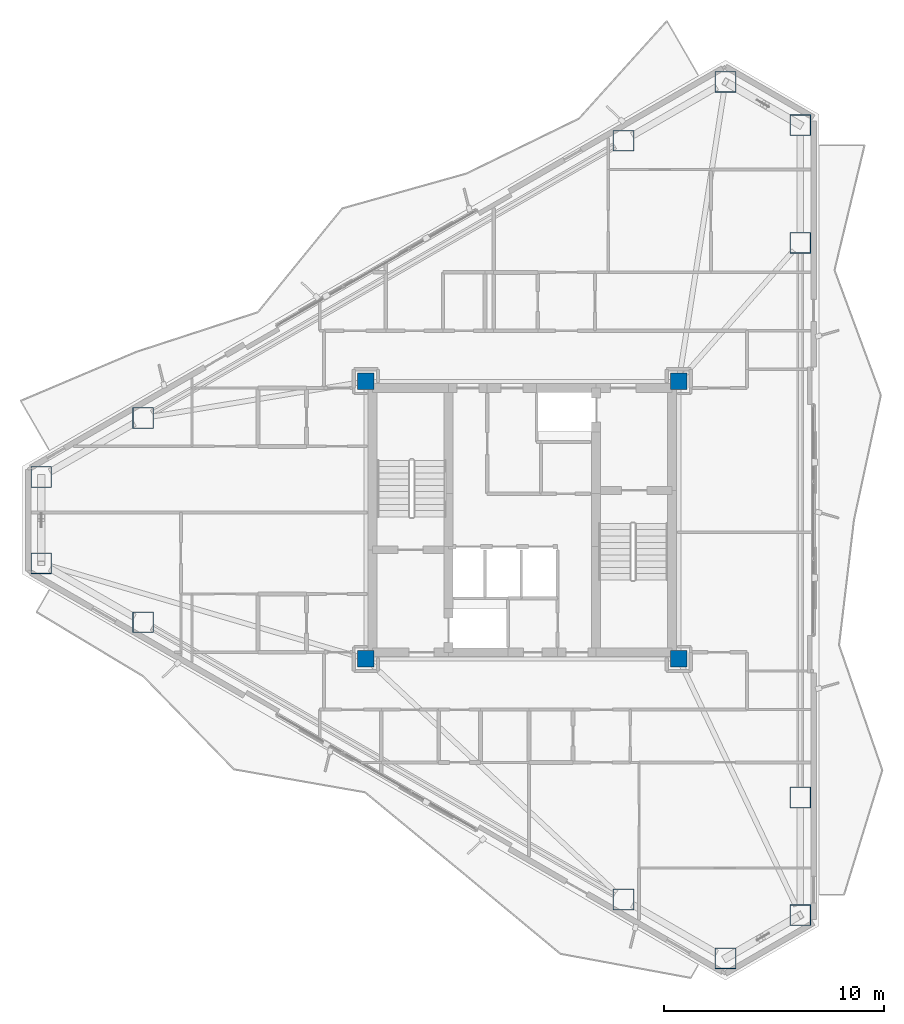
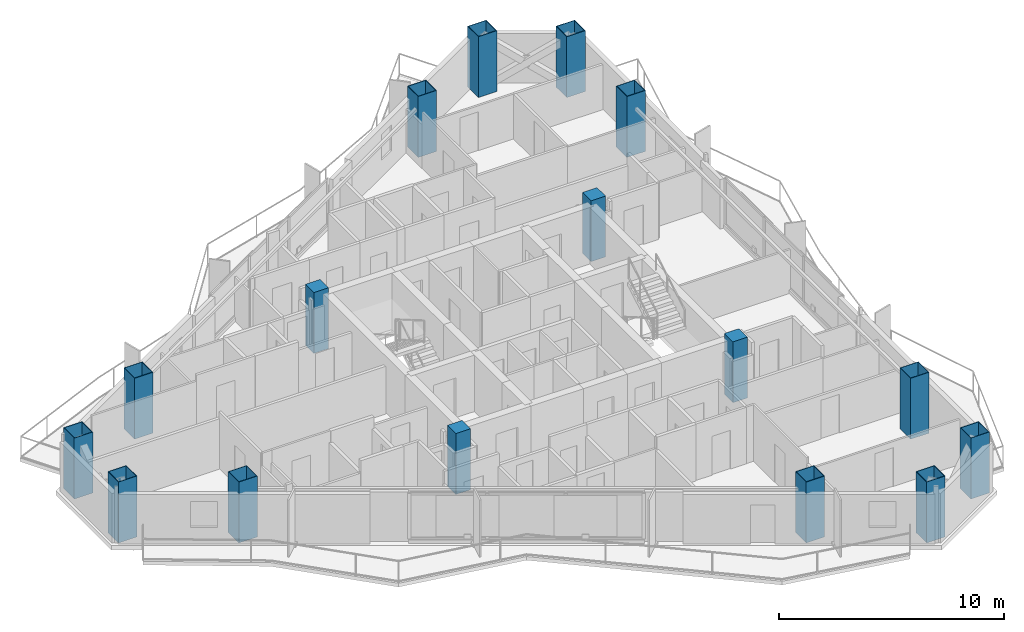
# One storey, part 1 of 19: 16 columns.
"""IFC4 building model written with IfcOpenShell, lengths in metres."""

import ifcopenshell
import ifcopenshell.guid

model = None  # the IFC model being written
_history = None  # IfcOwnerHistory: only IFC2X3 demands one
_inside = {}  # id of a spatial element -> (the spatial element, [elements in it])
_under = {}  # id of a project, library or spatial element -> (it, [spatial elements below it])
_declared = {}  # id of a project -> (the project, [libraries it declares])
_typed = {}  # id of a type object -> (the type object, [elements of that type])
_made_of = {}  # id of a material, layer set ... -> (it, [elements and type objects made of it])


def new_model(schema):
    """Start an empty IFC model of exactly this schema.

    Asked for "IFC4X3", IfcOpenShell would pick the latest addendum, in which some entities
    have other attributes; the version numbers below select the first issue.
    IFC2X3 requires an IfcOwnerHistory on every rooted entity: one is made here for all.
    """
    global model, _history
    if schema == "IFC4X3":
        model = ifcopenshell.file(schema_version=(4, 3, 0, 0))
    else:
        model = ifcopenshell.file(schema=schema)
    _inside.clear()
    _under.clear()
    _declared.clear()
    _typed.clear()
    _made_of.clear()
    _history = None
    if model.schema == "IFC2X3":
        org = make("IfcOrganization", Name="unknown")
        user = make(
            "IfcPersonAndOrganization",
            ThePerson=make("IfcPerson", FamilyName="unknown"),
            TheOrganization=org,
        )
        app = make(
            "IfcApplication",
            ApplicationDeveloper=org,
            Version="unknown",
            ApplicationFullName="unknown",
            ApplicationIdentifier="unknown",
        )
        _history = make(
            "IfcOwnerHistory",
            OwningUser=user,
            OwningApplication=app,
            ChangeAction="ADDED",
            CreationDate=0,
        )
    return model


def make(cls, **values):
    """One entity of the class cls with the attributes given. An attribute that is None is left unset."""
    return model.create_entity(
        cls, **{name: value for name, value in values.items() if value is not None}
    )


def rooted(cls, **values):
    """An entity with a GlobalId (a new one), such as an element, a storey or a relation."""
    return make(cls, GlobalId=ifcopenshell.guid.new(), OwnerHistory=_history, **values)


def si_unit(unit_type, name, prefix=None):
    """IfcSIUnit, for example si_unit("LENGTHUNIT", "METRE", prefix="MILLI")."""
    return make("IfcSIUnit", UnitType=unit_type, Prefix=prefix, Name=name)


def assignment(units):
    """IfcUnitAssignment: the units of a project."""
    return None if units is None else make("IfcUnitAssignment", Units=units)


def point(xyz):
    """IfcCartesianPoint."""
    return None if xyz is None else make("IfcCartesianPoint", Coordinates=xyz)


def direction(xyz):
    """IfcDirection."""
    return None if xyz is None else make("IfcDirection", DirectionRatios=xyz)


def frame(location, z_axis=None, x_axis=None):
    """IfcAxis2Placement3D, a coordinate frame: its origin and axes. An axis left out is left unset."""
    return make(
        "IfcAxis2Placement3D",
        Location=point(location),
        Axis=direction(z_axis),
        RefDirection=direction(x_axis),
    )


def frame_2d(location, x_axis=None):
    """IfcAxis2Placement2D, a coordinate frame in the plane: its origin and x axis."""
    return make(
        "IfcAxis2Placement2D", Location=point(location), RefDirection=direction(x_axis)
    )


def origin():
    """The frame at (0, 0, 0) with its axes left unset."""
    return frame((0.0, 0.0, 0.0))


def origin_2d():
    """The frame at (0, 0) in the plane with its x axis left unset."""
    return frame_2d((0.0, 0.0))


def place(relative_to, where):
    """IfcLocalPlacement: puts the frame where relative to a parent placement (None: the world)."""
    return make(
        "IfcLocalPlacement", PlacementRelTo=relative_to, RelativePlacement=where
    )


def context(
    kind, dimensions, precision=None, world=None, true_north=None, identifier=None
):
    """IfcGeometricRepresentationContext, for example the 3D "Model" context."""
    return make(
        "IfcGeometricRepresentationContext",
        ContextIdentifier=identifier,
        ContextType=kind,
        CoordinateSpaceDimension=dimensions,
        Precision=precision,
        WorldCoordinateSystem=world,
        TrueNorth=true_north,
    )


def subcontext(parent, identifier, kind, view, scale=None):
    """IfcGeometricRepresentationSubContext, for example "Body" below "Model"."""
    return make(
        "IfcGeometricRepresentationSubContext",
        ContextIdentifier=identifier,
        ContextType=kind,
        ParentContext=parent,
        TargetScale=scale,
        TargetView=view,
    )


def project(units=None, contexts=None):
    """IfcProject with its units and contexts."""
    return rooted(
        "IfcProject",
        Name="project",
        RepresentationContexts=contexts,
        UnitsInContext=assignment(units),
    )


def spatial(cls, under=None, at=None, **own):
    """A site, building, storey or space (cls), placed at a placement, below another one or the project."""
    s = rooted(cls, ObjectPlacement=at, **own)
    if under is not None:
        _under.setdefault(under.id(), (under, []))[1].append(s)
    return s


def profile(cls, at=None, kind="AREA", **sizes):
    """A parametric profile (cls). Its sizes go by their IFC names, for example OverallWidth=200.0."""
    return make(cls, ProfileType=kind, Position=at, **sizes)


def rectangle(**sizes):
    """IfcRectangleProfileDef."""
    return profile("IfcRectangleProfileDef", **sizes)


def hollow_rectangle(**sizes):
    """IfcRectangleHollowProfileDef."""
    return profile("IfcRectangleHollowProfileDef", **sizes)


def extrude(swept, where, along, depth):
    """IfcExtrudedAreaSolid: the profile swept, set in the frame where, extruded along a direction by depth."""
    return make(
        "IfcExtrudedAreaSolid",
        SweptArea=swept,
        Position=where,
        ExtrudedDirection=direction(along),
        Depth=depth,
    )


def shape(context_of_items, identifier, shape_type, items):
    """IfcShapeRepresentation: the items that make up one representation, for example the "Body"."""
    return make(
        "IfcShapeRepresentation",
        ContextOfItems=context_of_items,
        RepresentationIdentifier=identifier,
        RepresentationType=shape_type,
        Items=items,
    )


def material(Name=None, Category=None):
    """IfcMaterial."""
    return make("IfcMaterial", Name=Name, Category=Category)


def material_profile(
    of_material, cross_section, Name=None, Category=None, Priority=None
):
    """IfcMaterialProfile: a cross section and its material."""
    return make(
        "IfcMaterialProfile",
        Name=Name,
        Material=of_material,
        Profile=cross_section,
        Priority=Priority,
        Category=Category,
    )


def profile_set(profiles, Name=None, composite=None):
    """IfcMaterialProfileSet."""
    return make(
        "IfcMaterialProfileSet",
        Name=Name,
        MaterialProfiles=profiles,
        CompositeProfile=composite,
    )


def made_of(thing, what):
    """Note that an element or type object is made of a material, layer set ...; save() writes the relation."""
    if what is not None:
        _made_of.setdefault(what.id(), (what, []))[1].append(thing)
    return thing


def type_object(cls, material=None, **own):
    """A type object (cls), such as IfcWallType, which elements share."""
    return made_of(rooted(cls, **own), material)


def element(
    cls,
    number,
    at=None,
    inside=None,
    cuts=None,
    type_object=None,
    material=None,
    context=None,
    identifier="Body",
    shape_type=None,
    held_by="IfcProductDefinitionShape",
    body=None,
    shapes=None,
    **own,
):
    """One element of the class cls, such as IfcWall. Its Tag is "e" and its number.

    at: its placement. inside: the storey or other place that contains it. cuts: it is an
    opening in that element (IfcRelVoidsElement). A single representation is given by context,
    identifier, shape_type and body (its items); several are given by shapes. held_by: the class
    of the entity that holds the representations. save() writes the other relations.
    """
    e = rooted(cls, Tag="e%d" % number, ObjectPlacement=at, **own)
    if body is not None:
        shapes = [shape(context, identifier, shape_type, body)]
    if shapes is not None:
        e.Representation = make(held_by, Representations=shapes)
    if inside is not None:
        _inside.setdefault(inside.id(), (inside, []))[1].append(e)
    if cuts is not None:
        rooted(
            "IfcRelVoidsElement", RelatingBuildingElement=cuts, RelatedOpeningElement=e
        )
    if type_object is not None:
        _typed.setdefault(type_object.id(), (type_object, []))[1].append(e)
    return made_of(e, material)


def aggregate(whole, parts):
    """IfcRelAggregates: a whole, such as a stair, and the parts it consists of."""
    return rooted("IfcRelAggregates", RelatingObject=whole, RelatedObjects=parts)


def save(model, path):
    """Write the relations noted so far, then the file.

    IfcRelAggregates (storeys below a building ...), IfcRelContainedInSpatialStructure (elements
    in a storey), IfcRelDefinesByType, IfcRelAssociatesMaterial and IfcRelDeclares: one each for
    every whole, place, type object, material and project.
    """
    for whole, parts in _under.values():
        aggregate(whole, parts)
    for where, things in _inside.values():
        rooted(
            "IfcRelContainedInSpatialStructure",
            RelatedElements=things,
            RelatingStructure=where,
        )
    for kind, things in _typed.values():
        rooted("IfcRelDefinesByType", RelatedObjects=things, RelatingType=kind)
    for what, things in _made_of.values():
        rooted("IfcRelAssociatesMaterial", RelatedObjects=things, RelatingMaterial=what)
    for by, libraries in _declared.values():
        rooted("IfcRelDeclares", RelatingContext=by, RelatedDefinitions=libraries)
    model.write(path)


model = new_model("IFC4")

# Units and contexts
model_context = context("Model", 3, precision=1e-05, world=origin(), true_north=direction((0.0, 1.0)))
body_context = subcontext(model_context, "Body", "Model", "MODEL_VIEW")
ifc_project = project(units=[si_unit("LENGTHUNIT", "METRE"), si_unit("AREAUNIT", "SQUARE_METRE"), si_unit("VOLUMEUNIT", "CUBIC_METRE"), si_unit("PLANEANGLEUNIT", "RADIAN"), si_unit("MASSUNIT", "GRAM", prefix="KILO")], contexts=[model_context])

# Site, building, storey
site_placement = place(None, origin())
site = spatial("IfcSite", under=ifc_project, at=site_placement, CompositionType="ELEMENT")
building_placement = place(site_placement, origin())
building = spatial("IfcBuilding", under=site, at=building_placement, Name="Mersakhor Tower and Convention Hall", CompositionType="ELEMENT")
storey_placement = place(building_placement, frame((0.0, 0.0, 147.60009765625)))
storey = spatial("IfcBuildingStorey", under=building, at=storey_placement, Name="L41", CompositionType="ELEMENT", Elevation=147.60009765625)

# Columns
ifc_material_1 = material(Name="Concrete C60/75 in S460M steel box", Category="concrete")
ifc_material_profile_1 = material_profile(ifc_material_1, hollow_rectangle(XDim=0.949951171875, YDim=0.949951171875, WallThickness=0.028076171875, at=origin_2d()), Name="SHS 950x950x28")
ifc_profile_set_1 = profile_set([ifc_material_profile_1], Name="Concrete C60/75 in S460M steel box")
column_type_1 = type_object("IfcColumnType", Name="COL-CFT-950", PredefinedType="COLUMN", material=ifc_profile_set_1)
for number, where, z_axis, x_axis, name in (
    (1, (7.160400390625, 28.71240234375, 0.0), (0.0, 0.0, 1.0), (1.0, 0.0, 0.0), "L41 Perimeter Mega-Column MC-01"),
    (2, (11.788330078125, 31.38427734375, 0.0), (0.0, 0.0, 1.0), (1.0, 0.0, 0.0), "L41 Perimeter Mega-Column MC-02"),
    (3, (33.592529296875, 43.972900390625, 0.0), (0.0, 0.0, 1.0), (1.0, 0.0, 0.0), "L41 Perimeter Mega-Column MC-03"),
    (4, (38.220458984375, 46.644775390625, 0.0), (0.0, 0.0, 1.0), (1.0, 0.0, 0.0), "L41 Perimeter Mega-Column MC-04"),
    (5, (41.619140625, 44.6826171875, 0.0), (0.0, 0.0, 1.0), (1.0, 0.0, 0.0), "L41 Perimeter Mega-Column MC-05"),
    (6, (41.619140625, 39.338623046875, 0.0), (0.0, 0.0, 1.0), (1.0, 0.0, 0.0), "L41 Perimeter Mega-Column MC-06"),
    (7, (41.619140625, 14.161376953125, 0.0), (0.0, 0.0, 1.0), (1.0, 0.0, 0.0), "L41 Perimeter Mega-Column MC-07"),
    (8, (41.619140625, 8.8173828125, 0.0), (0.0, 0.0, 1.0), (1.0, 0.0, 0.0), "L41 Perimeter Mega-Column MC-08"),
    (9, (38.220458984375, 6.855224609375, 0.0), (0.0, 0.0, 1.0), (1.0, 0.0, 0.0), "L41 Perimeter Mega-Column MC-09"),
    (10, (33.592529296875, 9.527099609375, 0.0), (0.0, 0.0, 1.0), (1.0, 0.0, 0.0), "L41 Perimeter Mega-Column MC-10"),
    (11, (11.788330078125, 22.11572265625, 0.0), (0.0, 0.0, 1.0), (1.0, 0.0, 0.0), "L41 Perimeter Mega-Column MC-11"),
    (12, (7.160400390625, 24.78759765625, 0.0), (0.0, 0.0, 1.0), (1.0, 0.0, 0.0), "L41 Perimeter Mega-Column MC-12"),
):
    element("IfcColumn", number, at=place(storey_placement, frame(where, z_axis=z_axis, x_axis=x_axis)), inside=storey, type_object=column_type_1, Name=name, PredefinedType="COLUMN", context=body_context, shape_type="SweptSolid", body=[
        extrude(hollow_rectangle(XDim=0.949951171875, YDim=0.949951171875, WallThickness=0.028076171875, at=origin_2d()), origin(), (0.0, 0.0, 1.0), 3.2998046875),
    ])
ifc_material_2 = material(Name="Concrete C50/60", Category="concrete")
ifc_material_profile_2 = material_profile(ifc_material_2, rectangle(XDim=0.75, YDim=0.75, at=origin_2d()), Name="RC 750x750")
ifc_profile_set_2 = profile_set([ifc_material_profile_2], Name="Concrete C50/60")
column_type_2 = type_object("IfcColumnType", Name="COL-RC-750", PredefinedType="COLUMN", material=ifc_profile_set_2)
for number, where, z_axis, x_axis, name in (
    (13, (21.89990234375, 20.449951171875, 0.0), (0.0, 0.0, 1.0), (1.0, 0.0, 0.0), "L41 Core Corner Column CC-1"),
    (14, (21.89990234375, 33.050048828125, 0.0), (0.0, 0.0, 1.0), (1.0, 0.0, 0.0), "L41 Core Corner Column CC-2"),
    (15, (36.10009765625, 33.050048828125, 0.0), (0.0, 0.0, 1.0), (1.0, 0.0, 0.0), "L41 Core Corner Column CC-3"),
    (16, (36.10009765625, 20.449951171875, 0.0), (0.0, 0.0, 1.0), (1.0, 0.0, 0.0), "L41 Core Corner Column CC-4"),
):
    element("IfcColumn", number, at=place(storey_placement, frame(where, z_axis=z_axis, x_axis=x_axis)), inside=storey, type_object=column_type_2, Name=name, PredefinedType="COLUMN", context=body_context, shape_type="SweptSolid", body=[
        extrude(rectangle(XDim=0.75, YDim=0.75, at=origin_2d()), origin(), (0.0, 0.0, 1.0), 3.2998046875),
    ])

save(model, "model.ifc")
